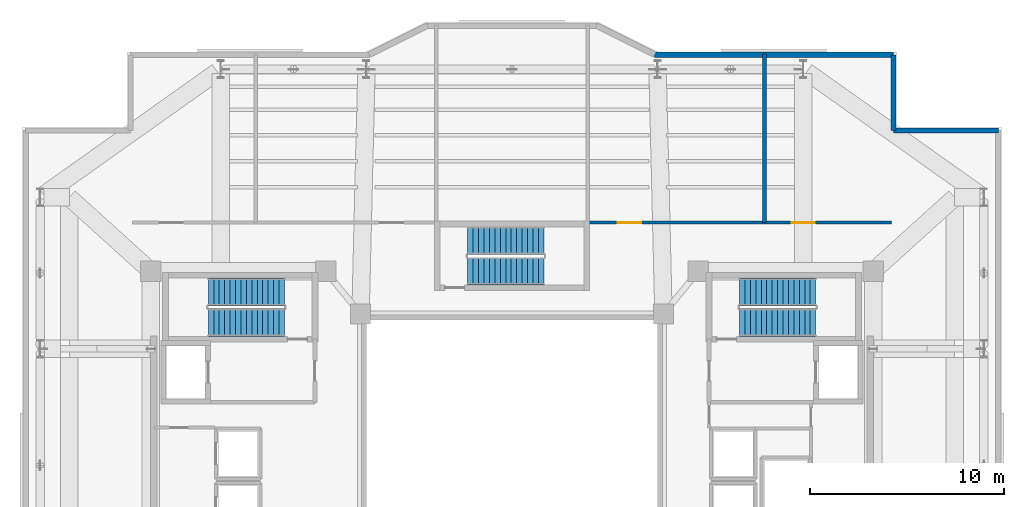
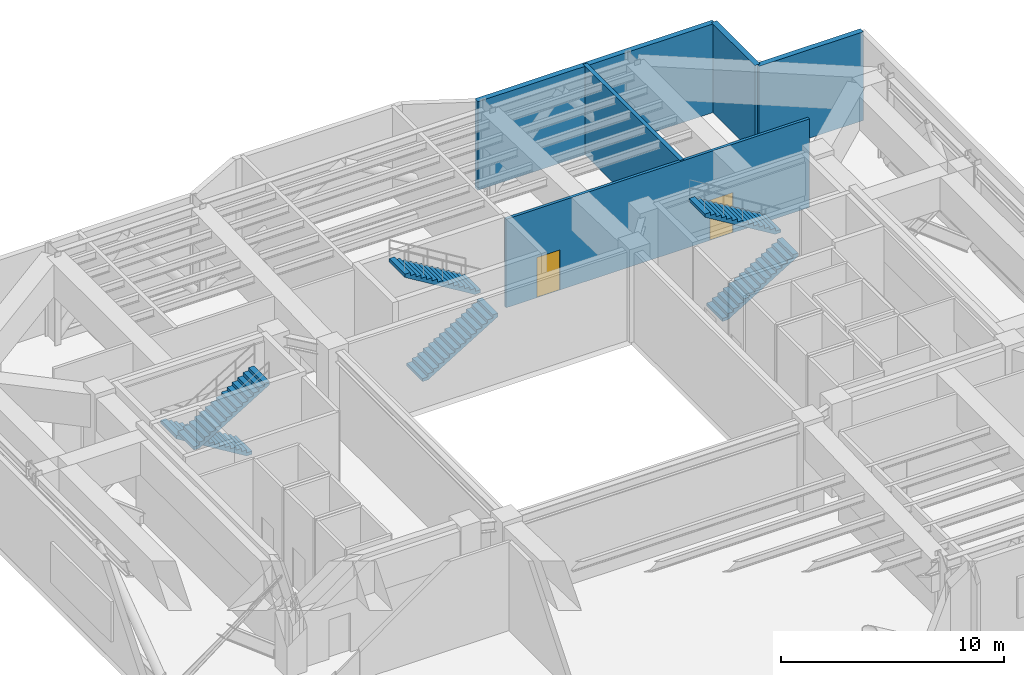
# One storey, part 10 of 13: 6 stair flights, 5 walls, 2 doors, 2 openings, 3 elements without a shape of their own.
"""IFC4 building model written with IfcOpenShell, lengths in metres."""

from ifc_helpers import new_model, si_unit, direction, frame, frame_2d, origin, place, context, subcontext, project, spatial, polyline, rectangle, outline, extrude, material, layer, layer_set, type_object, element, fill, aggregate, save


model = new_model("IFC4")

# Units and contexts
model_context = context("Model", 3, precision=1e-05, world=origin(), true_north=direction((0.0, 1.0)))
body_context = subcontext(model_context, "Body", "Model", "MODEL_VIEW")
ifc_project = project(units=[si_unit("LENGTHUNIT", "METRE"), si_unit("AREAUNIT", "SQUARE_METRE"), si_unit("VOLUMEUNIT", "CUBIC_METRE"), si_unit("PLANEANGLEUNIT", "RADIAN"), si_unit("MASSUNIT", "GRAM", prefix="KILO")], contexts=[model_context])

# Site, building, storey
site_placement = place(None, origin())
site = spatial("IfcSite", under=ifc_project, at=site_placement, CompositionType="ELEMENT")
building_placement = place(site_placement, origin())
building = spatial("IfcBuilding", under=site, at=building_placement, Name="Tarnavaz Court Tower", CompositionType="ELEMENT")
storey_placement = place(building_placement, frame((0.0, 0.0, 181.800048828125)))
storey = spatial("IfcBuildingStorey", under=building, at=storey_placement, Name="L49", CompositionType="ELEMENT", Elevation=181.800048828125)

# Walls
ifc_material_1 = material(Name="Precast Concrete C40/50", Category="concrete")
ifc_layer_1 = layer(ifc_material_1, 0.280029296875)
ifc_layer_set_1 = layer_set([ifc_layer_1], Name="Precast Concrete C40/50")
wall_type_1 = type_object("IfcWallType", Name="WL-EXT-280", PredefinedType="SOLIDWALL", material=ifc_layer_set_1)
wall_1_placement = place(storey_placement, frame((7.35009765625, 21.14990234375, 0.0), z_axis=(0.0, 0.0, 1.0), x_axis=(1.0, 0.0, 0.0)))
element("IfcWall", 1, at=wall_1_placement, inside=storey, type_object=wall_type_1, Name="L49 Exterior Terracotta Facade Wall 09", PredefinedType="SOLIDWALL", context=body_context, shape_type="SweptSolid", body=[
    extrude(rectangle(XDim=12.2998046875, YDim=0.280029296875, at=frame_2d((6.14990234375, 0.0))), origin(), (0.0, 0.0, 1.0), 4.849853515625),
])
wall_2_placement = place(storey_placement, frame((19.64990234375, 21.14990234375, 0.0), z_axis=(0.0, 0.0, 1.0), x_axis=(0.0, -1.0, 0.0)))
element("IfcWall", 2, at=wall_2_placement, inside=storey, type_object=wall_type_1, Name="L49 Exterior Terracotta Facade Wall 10", PredefinedType="SOLIDWALL", context=body_context, shape_type="SweptSolid", body=[
    extrude(rectangle(XDim=3.89990234375, YDim=0.280029296875, at=frame_2d((1.949951171875, 0.0))), origin(), (0.0, 0.0, 1.0), 4.849853515625),
])
wall_3_placement = place(storey_placement, frame((19.64990234375, 17.25, 0.0), z_axis=(0.0, 0.0, 1.0), x_axis=(1.0, 0.0, 0.0)))
element("IfcWall", 3, at=wall_3_placement, inside=storey, type_object=wall_type_1, Name="L49 Exterior Terracotta Facade Wall 11", PredefinedType="SOLIDWALL", context=body_context, shape_type="SweptSolid", body=[
    extrude(rectangle(XDim=5.400146484375, YDim=0.280029296875, at=frame_2d((2.7001953125, 0.0))), origin(), (0.0, 0.0, 1.0), 4.849853515625),
])

# Wall, openings, doors
ifc_material_2 = material(Name="Gypsum Fire-Board on Acoustic Metal Stud", Category="masonry")
ifc_layer_2 = layer(ifc_material_2, 0.14990234375)
ifc_layer_set_2 = layer_set([ifc_layer_2], Name="Gypsum Fire-Board on Acoustic Metal Stud")
wall_type_2 = type_object("IfcWallType", Name="WL-FIRE-150", PredefinedType="PARTITIONING", material=ifc_layer_set_2)
wall_4_placement = place(storey_placement, frame((3.85009765625, 12.5, 0.0), z_axis=(0.0, 0.0, 1.0), x_axis=(1.0, 0.0, 0.0)))
wall_4 = element("IfcWall", 4, at=wall_4_placement, inside=storey, type_object=wall_type_2, Name="L49 NE Wing Corridor Wall 067", PredefinedType="PARTITIONING", context=body_context, shape_type="SweptSolid", body=[
    extrude(rectangle(XDim=15.699951171875, YDim=0.14990234375, at=frame_2d((7.85009765625, 0.0))), origin(), (0.0, 0.0, 1.0), 4.849853515625),
])
opening_1_placement = place(wall_4_placement, frame((1.60009765625, 0.0, 0.0)))
opening_1 = element("IfcOpeningElement", 5, at=opening_1_placement, cuts=wall_4, Name="Opening D03", PredefinedType="OPENING", context=body_context, shape_type="SweptSolid", body=[
    extrude(rectangle(XDim=1.199951171875, YDim=2.199951171875, at=frame_2d((0.60009765625, 1.10009765625))), frame((0.0, 0.0849609375, 0.0), z_axis=(0.0, -1.0, 0.0), x_axis=(1.0, 0.0, 0.0)), (0.0, 0.0, 1.0), 0.169921875),
])
opening_2_placement = place(wall_4_placement, frame((10.550048828125, 0.0, 0.0)))
opening_2 = element("IfcOpeningElement", 6, at=opening_2_placement, cuts=wall_4, Name="Opening D03", PredefinedType="OPENING", context=body_context, shape_type="SweptSolid", body=[
    extrude(rectangle(XDim=1.199951171875, YDim=2.199951171875, at=frame_2d((0.60009765625, 1.10009765625))), frame((0.0, 0.0849609375, 0.0), z_axis=(0.0, -1.0, 0.0), x_axis=(1.0, 0.0, 0.0)), (0.0, 0.0, 1.0), 0.169921875),
])
ifc_material_3 = material(Name="Fire-Rated Hardwood Timber Core", Category="wood")
door_type = type_object("IfcDoorType", Name="DR-FD90-1200", OperationType="NOTDEFINED", PredefinedType="DOOR", material=ifc_material_3)
door_1_placement = place(opening_1_placement, origin())
door_1 = element("IfcDoor", 7, at=door_1_placement, inside=storey, type_object=door_type, Name="L49 AHU Plant Room Door", OperationType="SINGLE_SWING_RIGHT", OverallHeight=2.199951171875, OverallWidth=1.199951171875, PredefinedType="DOOR", context=body_context, shape_type="SweptSolid", body=[
    extrude(rectangle(XDim=1.199951171875, YDim=2.199951171875, at=frame_2d((0.60009765625, 1.10009765625))), frame((0.0, 0.02490234375, 0.0), z_axis=(0.0, -1.0, 0.0), x_axis=(1.0, 0.0, 0.0)), (0.0, 0.0, 1.0), 0.050048828125),
])
fill(opening_1, door_1)
door_2_placement = place(opening_2_placement, origin())
door_2 = element("IfcDoor", 8, at=door_2_placement, inside=storey, type_object=door_type, Name="L49 Booster Pump Room Door", OperationType="SINGLE_SWING_LEFT", OverallHeight=2.199951171875, OverallWidth=1.199951171875, PredefinedType="DOOR", context=body_context, shape_type="SweptSolid", body=[
    extrude(rectangle(XDim=1.199951171875, YDim=2.199951171875, at=frame_2d((0.60009765625, 1.10009765625))), frame((0.0, 0.02490234375, 0.0), z_axis=(0.0, -1.0, 0.0), x_axis=(1.0, 0.0, 0.0)), (0.0, 0.0, 1.0), 0.050048828125),
])
fill(opening_2, door_2)

# Wall
ifc_material_4 = material(Name="Autoclaved Aerated Concrete Blockwork", Category="masonry")
ifc_layer_3 = layer(ifc_material_4, 0.199951171875)
ifc_layer_set_3 = layer_set([ifc_layer_3], Name="Autoclaved Aerated Concrete Blockwork")
wall_type_3 = type_object("IfcWallType", Name="WL-FIRE-200", PredefinedType="SOLIDWALL", material=ifc_layer_set_3)
wall_5_placement = place(storey_placement, frame((13.0, 12.5, 0.0), z_axis=(0.0, 0.0, 1.0), x_axis=(0.0, 1.0, 0.0)))
element("IfcWall", 9, at=wall_5_placement, inside=storey, type_object=wall_type_3, Name="L49 Interior Partition 073", PredefinedType="SOLIDWALL", context=body_context, shape_type="SweptSolid", body=[
    extrude(rectangle(XDim=8.699951171875, YDim=0.199951171875, at=frame_2d((4.35009765625, 0.0))), origin(), (0.0, 0.0, 1.0), 4.849853515625),
])

# Stair, stair flights
ifc_material_5 = material(Name="Concrete C40/50", Category="concrete")
stair_type = type_object("IfcStairType", Name="ST-TWR-30R", PredefinedType="HALF_TURN_STAIR", material=ifc_material_5)
stair_1_placement = place(storey_placement, origin())
stair_1 = element("IfcStair", 10, at=stair_1_placement, inside=storey, type_object=stair_type, Name="L49 West Core Pressurized Exit Stair ST-W1", PredefinedType="HALF_TURN_STAIR")
stair_flight_type = type_object("IfcStairFlightType", Name="SFL-RC-30R", PredefinedType="STRAIGHT", material=ifc_material_5)
stair_flight_1_placement = place(storey_placement, frame((-11.719970703125, 8.929931640625, 0.0), z_axis=(0.0, 0.0, 1.0), x_axis=(-1.0, 0.0, 0.0)))
stair_flight_1 = element("IfcStairFlight", 11, at=stair_flight_1_placement, type_object=stair_flight_type, Name="ST-W1 flight 1", NumberOfRisers=15, NumberOfTreads=14, PredefinedType="STRAIGHT", RiserHeight=0.17, TreadLength=0.28, context=body_context, shape_type="SweptSolid", body=[
    extrude(outline(polyline([(0.0, 0.0), (0.0, 0.169921875), (0.280029296875, 0.169921875), (0.280029296875, 0.340087890625), (0.56005859375, 0.340087890625), (0.56005859375, 0.510009765625), (0.840087890625, 0.510009765625), (0.840087890625, 0.679931640625), (1.1201171875, 0.679931640625), (1.1201171875, 0.85009765625), (1.39990234375, 0.85009765625), (1.39990234375, 1.02001953125), (1.679931640625, 1.02001953125), (1.679931640625, 1.18994140625), (1.9599609375, 1.18994140625), (1.9599609375, 1.360107421875), (2.239990234375, 1.360107421875), (2.239990234375, 1.530029296875), (2.52001953125, 1.530029296875), (2.52001953125, 1.699951171875), (2.800048828125, 1.699951171875), (2.800048828125, 1.8701171875), (3.080078125, 1.8701171875), (3.080078125, 2.0400390625), (3.360107421875, 2.0400390625), (3.360107421875, 2.2099609375), (3.639892578125, 2.2099609375), (3.639892578125, 2.3798828125), (3.919921875, 2.3798828125), (3.919921875, 2.550048828125), (3.919921875, 2.20458984375), (0.288818359375, 0.0), (0.0, 0.0)])), frame((0.0, 0.7099609375, 0.0), z_axis=(0.0, -1.0, 0.0), x_axis=(1.0, 0.0, 0.0)), (0.0, 0.0, 1.0), 1.419921875),
])
stair_flight_2_placement = place(storey_placement, frame((-15.639892578125, 7.360107421875, 2.550048828125), z_axis=(0.0, 0.0, 1.0), x_axis=(1.0, 0.0, 0.0)))
stair_flight_2 = element("IfcStairFlight", 12, at=stair_flight_2_placement, type_object=stair_flight_type, Name="ST-W1 flight 2", NumberOfRisers=15, NumberOfTreads=14, PredefinedType="STRAIGHT", RiserHeight=0.17, TreadLength=0.28, context=body_context, shape_type="SweptSolid", body=[
    extrude(outline(polyline([(0.0, 0.0), (0.0, 0.169921875), (0.280029296875, 0.169921875), (0.280029296875, 0.340087890625), (0.56005859375, 0.340087890625), (0.56005859375, 0.510009765625), (0.840087890625, 0.510009765625), (0.840087890625, 0.679931640625), (1.1201171875, 0.679931640625), (1.1201171875, 0.85009765625), (1.39990234375, 0.85009765625), (1.39990234375, 1.02001953125), (1.679931640625, 1.02001953125), (1.679931640625, 1.18994140625), (1.9599609375, 1.18994140625), (1.9599609375, 1.360107421875), (2.239990234375, 1.360107421875), (2.239990234375, 1.530029296875), (2.52001953125, 1.530029296875), (2.52001953125, 1.699951171875), (2.800048828125, 1.699951171875), (2.800048828125, 1.8701171875), (3.080078125, 1.8701171875), (3.080078125, 2.0400390625), (3.360107421875, 2.0400390625), (3.360107421875, 2.2099609375), (3.639892578125, 2.2099609375), (3.639892578125, 2.3798828125), (3.919921875, 2.3798828125), (3.919921875, 2.550048828125), (3.919921875, 2.20458984375), (0.288818359375, 0.0), (0.0, 0.0)])), frame((0.0, 0.7099609375, 0.0), z_axis=(0.0, -1.0, 0.0), x_axis=(1.0, 0.0, 0.0)), (0.0, 0.0, 1.0), 1.419921875),
])
aggregate(stair_1, [stair_flight_1, stair_flight_2])

stair_2_placement = place(storey_placement, origin())
stair_2 = element("IfcStair", 13, at=stair_2_placement, inside=storey, type_object=stair_type, Name="L49 East Core Pressurized Exit Stair ST-E1", PredefinedType="HALF_TURN_STAIR")
stair_flight_3_placement = place(storey_placement, frame((11.719970703125, 7.360107421875, 0.0), z_axis=(0.0, 0.0, 1.0), x_axis=(1.0, 0.0, 0.0)))
stair_flight_3 = element("IfcStairFlight", 14, at=stair_flight_3_placement, type_object=stair_flight_type, Name="ST-E1 flight 1", NumberOfRisers=15, NumberOfTreads=14, PredefinedType="STRAIGHT", RiserHeight=0.17, TreadLength=0.28, context=body_context, shape_type="SweptSolid", body=[
    extrude(outline(polyline([(0.0, 0.0), (0.0, 0.169921875), (0.280029296875, 0.169921875), (0.280029296875, 0.340087890625), (0.56005859375, 0.340087890625), (0.56005859375, 0.510009765625), (0.840087890625, 0.510009765625), (0.840087890625, 0.679931640625), (1.1201171875, 0.679931640625), (1.1201171875, 0.85009765625), (1.39990234375, 0.85009765625), (1.39990234375, 1.02001953125), (1.679931640625, 1.02001953125), (1.679931640625, 1.18994140625), (1.9599609375, 1.18994140625), (1.9599609375, 1.360107421875), (2.239990234375, 1.360107421875), (2.239990234375, 1.530029296875), (2.52001953125, 1.530029296875), (2.52001953125, 1.699951171875), (2.800048828125, 1.699951171875), (2.800048828125, 1.8701171875), (3.080078125, 1.8701171875), (3.080078125, 2.0400390625), (3.360107421875, 2.0400390625), (3.360107421875, 2.2099609375), (3.639892578125, 2.2099609375), (3.639892578125, 2.3798828125), (3.919921875, 2.3798828125), (3.919921875, 2.550048828125), (3.919921875, 2.20458984375), (0.288818359375, 0.0), (0.0, 0.0)])), frame((0.0, 0.7099609375, 0.0), z_axis=(0.0, -1.0, 0.0), x_axis=(1.0, 0.0, 0.0)), (0.0, 0.0, 1.0), 1.419921875),
])
stair_flight_4_placement = place(storey_placement, frame((15.639892578125, 8.929931640625, 2.550048828125), z_axis=(0.0, 0.0, 1.0), x_axis=(-1.0, 0.0, 0.0)))
stair_flight_4 = element("IfcStairFlight", 15, at=stair_flight_4_placement, type_object=stair_flight_type, Name="ST-E1 flight 2", NumberOfRisers=15, NumberOfTreads=14, PredefinedType="STRAIGHT", RiserHeight=0.17, TreadLength=0.28, context=body_context, shape_type="SweptSolid", body=[
    extrude(outline(polyline([(0.0, 0.0), (0.0, 0.169921875), (0.280029296875, 0.169921875), (0.280029296875, 0.340087890625), (0.56005859375, 0.340087890625), (0.56005859375, 0.510009765625), (0.840087890625, 0.510009765625), (0.840087890625, 0.679931640625), (1.1201171875, 0.679931640625), (1.1201171875, 0.85009765625), (1.39990234375, 0.85009765625), (1.39990234375, 1.02001953125), (1.679931640625, 1.02001953125), (1.679931640625, 1.18994140625), (1.9599609375, 1.18994140625), (1.9599609375, 1.360107421875), (2.239990234375, 1.360107421875), (2.239990234375, 1.530029296875), (2.52001953125, 1.530029296875), (2.52001953125, 1.699951171875), (2.800048828125, 1.699951171875), (2.800048828125, 1.8701171875), (3.080078125, 1.8701171875), (3.080078125, 2.0400390625), (3.360107421875, 2.0400390625), (3.360107421875, 2.2099609375), (3.639892578125, 2.2099609375), (3.639892578125, 2.3798828125), (3.919921875, 2.3798828125), (3.919921875, 2.550048828125), (3.919921875, 2.20458984375), (0.288818359375, 0.0), (0.0, 0.0)])), frame((0.0, 0.7099609375, 0.0), z_axis=(0.0, -1.0, 0.0), x_axis=(1.0, 0.0, 0.0)), (0.0, 0.0, 1.0), 1.419921875),
])
aggregate(stair_2, [stair_flight_3, stair_flight_4])

stair_3_placement = place(storey_placement, origin())
stair_3 = element("IfcStair", 16, at=stair_3_placement, inside=storey, type_object=stair_type, Name="L49 North Ring Pressurized Exit Stair ST-N1", PredefinedType="HALF_TURN_STAIR")
stair_flight_5_placement = place(storey_placement, frame((-2.280029296875, 10.010009765625, 0.0), z_axis=(0.0, 0.0, 1.0), x_axis=(1.0, 0.0, 0.0)))
stair_flight_5 = element("IfcStairFlight", 17, at=stair_flight_5_placement, type_object=stair_flight_type, Name="ST-N1 flight 1", NumberOfRisers=15, NumberOfTreads=14, PredefinedType="STRAIGHT", RiserHeight=0.17, TreadLength=0.28, context=body_context, shape_type="SweptSolid", body=[
    extrude(outline(polyline([(0.0, 0.0), (0.0, 0.169921875), (0.280029296875, 0.169921875), (0.280029296875, 0.340087890625), (0.56005859375, 0.340087890625), (0.56005859375, 0.510009765625), (0.840087890625, 0.510009765625), (0.840087890625, 0.679931640625), (1.1201171875, 0.679931640625), (1.1201171875, 0.85009765625), (1.39990234375, 0.85009765625), (1.39990234375, 1.02001953125), (1.679931640625, 1.02001953125), (1.679931640625, 1.18994140625), (1.9599609375, 1.18994140625), (1.9599609375, 1.360107421875), (2.239990234375, 1.360107421875), (2.239990234375, 1.530029296875), (2.52001953125, 1.530029296875), (2.52001953125, 1.699951171875), (2.800048828125, 1.699951171875), (2.800048828125, 1.8701171875), (3.080078125, 1.8701171875), (3.080078125, 2.0400390625), (3.360107421875, 2.0400390625), (3.360107421875, 2.2099609375), (3.639892578125, 2.2099609375), (3.639892578125, 2.3798828125), (3.919921875, 2.3798828125), (3.919921875, 2.550048828125), (3.919921875, 2.20458984375), (0.288818359375, 0.0), (0.0, 0.0)])), frame((0.0, 0.7099609375, 0.0), z_axis=(0.0, -1.0, 0.0), x_axis=(1.0, 0.0, 0.0)), (0.0, 0.0, 1.0), 1.419921875),
])
stair_flight_6_placement = place(storey_placement, frame((1.639892578125, 11.580078125, 2.550048828125), z_axis=(0.0, 0.0, 1.0), x_axis=(-1.0, 0.0, 0.0)))
stair_flight_6 = element("IfcStairFlight", 18, at=stair_flight_6_placement, type_object=stair_flight_type, Name="ST-N1 flight 2", NumberOfRisers=15, NumberOfTreads=14, PredefinedType="STRAIGHT", RiserHeight=0.17, TreadLength=0.28, context=body_context, shape_type="SweptSolid", body=[
    extrude(outline(polyline([(0.0, 0.0), (0.0, 0.169921875), (0.280029296875, 0.169921875), (0.280029296875, 0.340087890625), (0.56005859375, 0.340087890625), (0.56005859375, 0.510009765625), (0.840087890625, 0.510009765625), (0.840087890625, 0.679931640625), (1.1201171875, 0.679931640625), (1.1201171875, 0.85009765625), (1.39990234375, 0.85009765625), (1.39990234375, 1.02001953125), (1.679931640625, 1.02001953125), (1.679931640625, 1.18994140625), (1.9599609375, 1.18994140625), (1.9599609375, 1.360107421875), (2.239990234375, 1.360107421875), (2.239990234375, 1.530029296875), (2.52001953125, 1.530029296875), (2.52001953125, 1.699951171875), (2.800048828125, 1.699951171875), (2.800048828125, 1.8701171875), (3.080078125, 1.8701171875), (3.080078125, 2.0400390625), (3.360107421875, 2.0400390625), (3.360107421875, 2.2099609375), (3.639892578125, 2.2099609375), (3.639892578125, 2.3798828125), (3.919921875, 2.3798828125), (3.919921875, 2.550048828125), (3.919921875, 2.20458984375), (0.288818359375, 0.0), (0.0, 0.0)])), frame((0.0, 0.7099609375, 0.0), z_axis=(0.0, -1.0, 0.0), x_axis=(1.0, 0.0, 0.0)), (0.0, 0.0, 1.0), 1.419921875),
])
aggregate(stair_3, [stair_flight_5, stair_flight_6])

save(model, "model.ifc")
